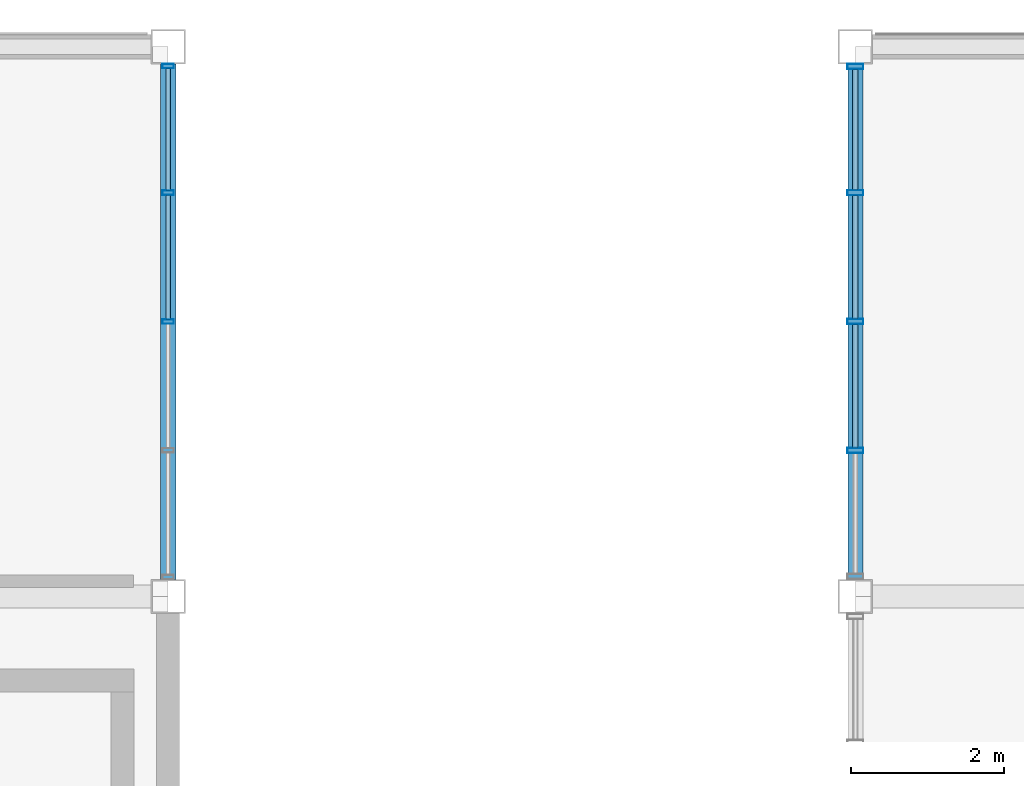
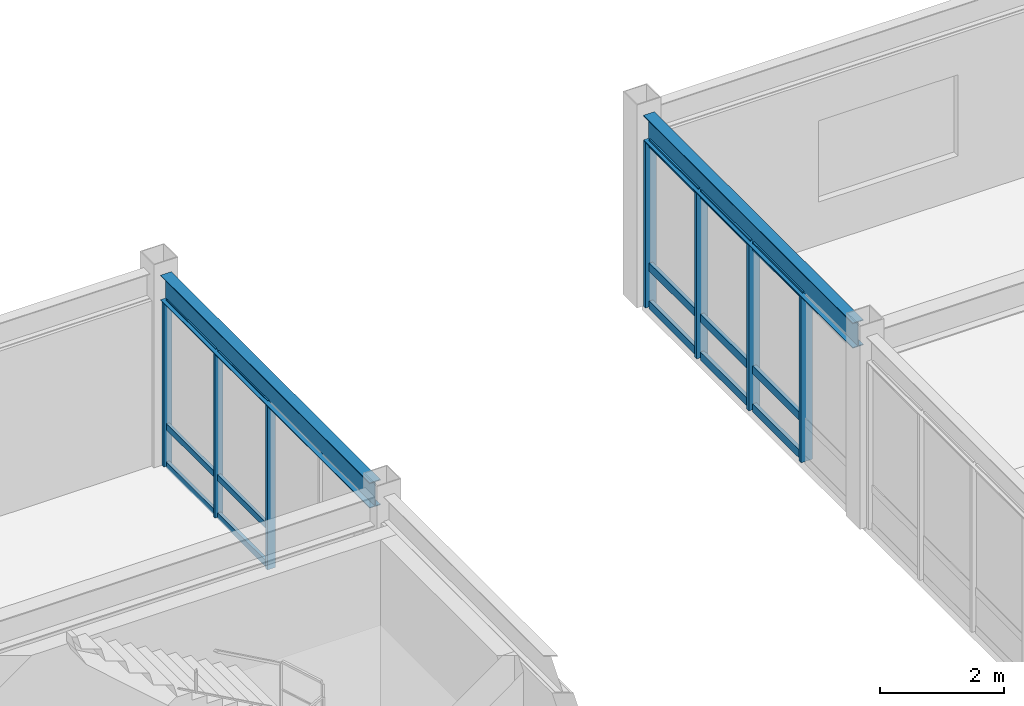
# One storey, part 65 of 122: 22 members, 2 beams, 2 elements without a shape of their own.
"""IFC4 building model written with IfcOpenShell, lengths in metres."""

import ifcopenshell
import ifcopenshell.guid

model = None  # the IFC model being written
_history = None  # IfcOwnerHistory: only IFC2X3 demands one
_inside = {}  # id of a spatial element -> (the spatial element, [elements in it])
_under = {}  # id of a project, library or spatial element -> (it, [spatial elements below it])
_declared = {}  # id of a project -> (the project, [libraries it declares])
_typed = {}  # id of a type object -> (the type object, [elements of that type])
_made_of = {}  # id of a material, layer set ... -> (it, [elements and type objects made of it])


def new_model(schema):
    """Start an empty IFC model of exactly this schema.

    Asked for "IFC4X3", IfcOpenShell would pick the latest addendum, in which some entities
    have other attributes; the version numbers below select the first issue.
    IFC2X3 requires an IfcOwnerHistory on every rooted entity: one is made here for all.
    """
    global model, _history
    if schema == "IFC4X3":
        model = ifcopenshell.file(schema_version=(4, 3, 0, 0))
    else:
        model = ifcopenshell.file(schema=schema)
    _inside.clear()
    _under.clear()
    _declared.clear()
    _typed.clear()
    _made_of.clear()
    _history = None
    if model.schema == "IFC2X3":
        org = make("IfcOrganization", Name="unknown")
        user = make(
            "IfcPersonAndOrganization",
            ThePerson=make("IfcPerson", FamilyName="unknown"),
            TheOrganization=org,
        )
        app = make(
            "IfcApplication",
            ApplicationDeveloper=org,
            Version="unknown",
            ApplicationFullName="unknown",
            ApplicationIdentifier="unknown",
        )
        _history = make(
            "IfcOwnerHistory",
            OwningUser=user,
            OwningApplication=app,
            ChangeAction="ADDED",
            CreationDate=0,
        )
    return model


def make(cls, **values):
    """One entity of the class cls with the attributes given. An attribute that is None is left unset."""
    return model.create_entity(
        cls, **{name: value for name, value in values.items() if value is not None}
    )


def rooted(cls, **values):
    """An entity with a GlobalId (a new one), such as an element, a storey or a relation."""
    return make(cls, GlobalId=ifcopenshell.guid.new(), OwnerHistory=_history, **values)


def si_unit(unit_type, name, prefix=None):
    """IfcSIUnit, for example si_unit("LENGTHUNIT", "METRE", prefix="MILLI")."""
    return make("IfcSIUnit", UnitType=unit_type, Prefix=prefix, Name=name)


def assignment(units):
    """IfcUnitAssignment: the units of a project."""
    return None if units is None else make("IfcUnitAssignment", Units=units)


def point(xyz):
    """IfcCartesianPoint."""
    return None if xyz is None else make("IfcCartesianPoint", Coordinates=xyz)


def direction(xyz):
    """IfcDirection."""
    return None if xyz is None else make("IfcDirection", DirectionRatios=xyz)


def frame(location, z_axis=None, x_axis=None):
    """IfcAxis2Placement3D, a coordinate frame: its origin and axes. An axis left out is left unset."""
    return make(
        "IfcAxis2Placement3D",
        Location=point(location),
        Axis=direction(z_axis),
        RefDirection=direction(x_axis),
    )


def frame_2d(location, x_axis=None):
    """IfcAxis2Placement2D, a coordinate frame in the plane: its origin and x axis."""
    return make(
        "IfcAxis2Placement2D", Location=point(location), RefDirection=direction(x_axis)
    )


def origin():
    """The frame at (0, 0, 0) with its axes left unset."""
    return frame((0.0, 0.0, 0.0))


def origin_2d():
    """The frame at (0, 0) in the plane with its x axis left unset."""
    return frame_2d((0.0, 0.0))


def place(relative_to, where):
    """IfcLocalPlacement: puts the frame where relative to a parent placement (None: the world)."""
    return make(
        "IfcLocalPlacement", PlacementRelTo=relative_to, RelativePlacement=where
    )


def context(
    kind, dimensions, precision=None, world=None, true_north=None, identifier=None
):
    """IfcGeometricRepresentationContext, for example the 3D "Model" context."""
    return make(
        "IfcGeometricRepresentationContext",
        ContextIdentifier=identifier,
        ContextType=kind,
        CoordinateSpaceDimension=dimensions,
        Precision=precision,
        WorldCoordinateSystem=world,
        TrueNorth=true_north,
    )


def subcontext(parent, identifier, kind, view, scale=None):
    """IfcGeometricRepresentationSubContext, for example "Body" below "Model"."""
    return make(
        "IfcGeometricRepresentationSubContext",
        ContextIdentifier=identifier,
        ContextType=kind,
        ParentContext=parent,
        TargetScale=scale,
        TargetView=view,
    )


def project(units=None, contexts=None):
    """IfcProject with its units and contexts."""
    return rooted(
        "IfcProject",
        Name="project",
        RepresentationContexts=contexts,
        UnitsInContext=assignment(units),
    )


def spatial(cls, under=None, at=None, **own):
    """A site, building, storey or space (cls), placed at a placement, below another one or the project."""
    s = rooted(cls, ObjectPlacement=at, **own)
    if under is not None:
        _under.setdefault(under.id(), (under, []))[1].append(s)
    return s


def profile(cls, at=None, kind="AREA", **sizes):
    """A parametric profile (cls). Its sizes go by their IFC names, for example OverallWidth=200.0."""
    return make(cls, ProfileType=kind, Position=at, **sizes)


def hollow_rectangle(**sizes):
    """IfcRectangleHollowProfileDef."""
    return profile("IfcRectangleHollowProfileDef", **sizes)


def i_section(**sizes):
    """IfcIShapeProfileDef."""
    return profile("IfcIShapeProfileDef", **sizes)


def extrude(swept, where, along, depth):
    """IfcExtrudedAreaSolid: the profile swept, set in the frame where, extruded along a direction by depth."""
    return make(
        "IfcExtrudedAreaSolid",
        SweptArea=swept,
        Position=where,
        ExtrudedDirection=direction(along),
        Depth=depth,
    )


def shape(context_of_items, identifier, shape_type, items):
    """IfcShapeRepresentation: the items that make up one representation, for example the "Body"."""
    return make(
        "IfcShapeRepresentation",
        ContextOfItems=context_of_items,
        RepresentationIdentifier=identifier,
        RepresentationType=shape_type,
        Items=items,
    )


def material(Name=None, Category=None):
    """IfcMaterial."""
    return make("IfcMaterial", Name=Name, Category=Category)


def material_profile(
    of_material, cross_section, Name=None, Category=None, Priority=None
):
    """IfcMaterialProfile: a cross section and its material."""
    return make(
        "IfcMaterialProfile",
        Name=Name,
        Material=of_material,
        Profile=cross_section,
        Priority=Priority,
        Category=Category,
    )


def profile_set(profiles, Name=None, composite=None):
    """IfcMaterialProfileSet."""
    return make(
        "IfcMaterialProfileSet",
        Name=Name,
        MaterialProfiles=profiles,
        CompositeProfile=composite,
    )


def made_of(thing, what):
    """Note that an element or type object is made of a material, layer set ...; save() writes the relation."""
    if what is not None:
        _made_of.setdefault(what.id(), (what, []))[1].append(thing)
    return thing


def type_object(cls, material=None, **own):
    """A type object (cls), such as IfcWallType, which elements share."""
    return made_of(rooted(cls, **own), material)


def element(
    cls,
    number,
    at=None,
    inside=None,
    cuts=None,
    type_object=None,
    material=None,
    context=None,
    identifier="Body",
    shape_type=None,
    held_by="IfcProductDefinitionShape",
    body=None,
    shapes=None,
    **own,
):
    """One element of the class cls, such as IfcWall. Its Tag is "e" and its number.

    at: its placement. inside: the storey or other place that contains it. cuts: it is an
    opening in that element (IfcRelVoidsElement). A single representation is given by context,
    identifier, shape_type and body (its items); several are given by shapes. held_by: the class
    of the entity that holds the representations. save() writes the other relations.
    """
    e = rooted(cls, Tag="e%d" % number, ObjectPlacement=at, **own)
    if body is not None:
        shapes = [shape(context, identifier, shape_type, body)]
    if shapes is not None:
        e.Representation = make(held_by, Representations=shapes)
    if inside is not None:
        _inside.setdefault(inside.id(), (inside, []))[1].append(e)
    if cuts is not None:
        rooted(
            "IfcRelVoidsElement", RelatingBuildingElement=cuts, RelatedOpeningElement=e
        )
    if type_object is not None:
        _typed.setdefault(type_object.id(), (type_object, []))[1].append(e)
    return made_of(e, material)


def aggregate(whole, parts):
    """IfcRelAggregates: a whole, such as a stair, and the parts it consists of."""
    return rooted("IfcRelAggregates", RelatingObject=whole, RelatedObjects=parts)


def save(model, path):
    """Write the relations noted so far, then the file.

    IfcRelAggregates (storeys below a building ...), IfcRelContainedInSpatialStructure (elements
    in a storey), IfcRelDefinesByType, IfcRelAssociatesMaterial and IfcRelDeclares: one each for
    every whole, place, type object, material and project.
    """
    for whole, parts in _under.values():
        aggregate(whole, parts)
    for where, things in _inside.values():
        rooted(
            "IfcRelContainedInSpatialStructure",
            RelatedElements=things,
            RelatingStructure=where,
        )
    for kind, things in _typed.values():
        rooted("IfcRelDefinesByType", RelatedObjects=things, RelatingType=kind)
    for what, things in _made_of.values():
        rooted("IfcRelAssociatesMaterial", RelatedObjects=things, RelatingMaterial=what)
    for by, libraries in _declared.values():
        rooted("IfcRelDeclares", RelatingContext=by, RelatedDefinitions=libraries)
    model.write(path)


model = new_model("IFC4")

# Units and contexts
model_context = context("Model", 3, precision=1e-05, world=origin(), true_north=direction((0.0, 1.0)))
body_context = subcontext(model_context, "Body", "Model", "MODEL_VIEW")
ifc_project = project(units=[si_unit("LENGTHUNIT", "METRE"), si_unit("AREAUNIT", "SQUARE_METRE"), si_unit("VOLUMEUNIT", "CUBIC_METRE"), si_unit("PLANEANGLEUNIT", "RADIAN"), si_unit("MASSUNIT", "GRAM", prefix="KILO")], contexts=[model_context])

# Site, building, storey
site_placement = place(None, origin())
site = spatial("IfcSite", under=ifc_project, at=site_placement, CompositionType="ELEMENT")
building_placement = place(site_placement, origin())
building = spatial("IfcBuilding", under=site, at=building_placement, Name="Kazanami Central Library", CompositionType="ELEMENT")
storey_placement = place(building_placement, frame((0.0, 0.0, 4.800048828125)))
storey = spatial("IfcBuildingStorey", under=building, at=storey_placement, Name="L02", CompositionType="ELEMENT", Elevation=4.800048828125)

# Beams
ifc_material_1 = material(Name="Steel SN490B (325 MPa)", Category="steel")
ifc_material_profile_1 = material_profile(ifc_material_1, i_section(OverallWidth=0.199951171875, OverallDepth=0.5, WebThickness=0.010009765625, FlangeThickness=0.01611328125, at=origin_2d()), Name="H-500x200x10x16")
ifc_profile_set_1 = profile_set([ifc_material_profile_1], Name="Steel SN490B (325 MPa)")
beam_type = type_object("IfcBeamType", Name="BM-SP-1", PredefinedType="SPANDREL", material=ifc_profile_set_1)
for number, where, z_axis, x_axis, name in (
    (1, (36.0, 86.623046875, 3.5048828125), (0.0, 1.0, 0.0), (-1.0, 0.0, 0.0), "Girder SP-1 L02 5/N-O"),
    (2, (45.0, 86.623046875, 3.5048828125), (0.0, 1.0, 0.0), (-1.0, 0.0, 0.0), "Girder SP-1 L02 6/N-O"),
):
    element("IfcBeam", number, at=place(storey_placement, frame(where, z_axis=z_axis, x_axis=x_axis)), inside=storey, type_object=beam_type, Name=name, PredefinedType="SPANDREL", context=body_context, shape_type="SweptSolid", body=[
        extrude(i_section(OverallWidth=0.199951171875, OverallDepth=0.5, WebThickness=0.010009765625, FlangeThickness=0.01611328125, at=origin_2d()), origin(), (0.0, 0.0, 1.0), 6.75390625),
    ])

# Curtain wall, members
ifc_material_2 = material(Name="Acid-Etched Low-E Laminated Glass", Category="glass")
curtain_wall_type = type_object("IfcCurtainWallType", Name="CW-6750x3255-M180", PredefinedType="USERDEFINED", material=ifc_material_2)
curtain_wall_1_placement = place(storey_placement, origin())
curtain_wall_1 = element("IfcCurtainWall", 3, at=curtain_wall_1_placement, inside=storey, type_object=curtain_wall_type, Name="Covered Link Bridge Curtain Wall CW-21 L02 W-6-12", ObjectType="UNITISED CURTAIN WALL", PredefinedType="USERDEFINED")
ifc_material_3 = material(Name="Anodised Aluminium A6063-T5", Category="aluminium")
ifc_material_profile_2 = material_profile(ifc_material_3, hollow_rectangle(XDim=0.070068359375, YDim=0.2099609375, WallThickness=0.0048828125, at=origin_2d()), Name="ALU-MULL-70x210x5")
ifc_profile_set_2 = profile_set([ifc_material_profile_2], Name="Anodised Aluminium A6063-T5")
member_type_1 = type_object("IfcMemberType", Name="MEM-CW-M1", PredefinedType="MULLION", material=ifc_profile_set_2)
member_1_placement = place(storey_placement, frame((45.0, 88.3125, 0.0), z_axis=(0.0, 0.0, 1.0), x_axis=(0.0, 1.0, 0.0)))
member_1 = element("IfcMember", 4, at=member_1_placement, type_object=member_type_1, Name="CW-21 mullion 2", PredefinedType="MULLION", context=body_context, shape_type="SweptSolid", body=[
    extrude(hollow_rectangle(XDim=0.070068359375, YDim=0.2099609375, WallThickness=0.0048828125, at=origin_2d()), origin(), (0.0, 0.0, 1.0), 3.2548828125),
])
member_2_placement = place(storey_placement, frame((45.0, 90.0, 0.0), z_axis=(0.0, 0.0, 1.0), x_axis=(0.0, 1.0, 0.0)))
member_2 = element("IfcMember", 5, at=member_2_placement, type_object=member_type_1, Name="CW-21 mullion 3", PredefinedType="MULLION", context=body_context, shape_type="SweptSolid", body=[
    extrude(hollow_rectangle(XDim=0.070068359375, YDim=0.2099609375, WallThickness=0.0048828125, at=origin_2d()), origin(), (0.0, 0.0, 1.0), 3.2548828125),
])
member_3_placement = place(storey_placement, frame((45.0, 91.6875, 0.0), z_axis=(0.0, 0.0, 1.0), x_axis=(0.0, 1.0, 0.0)))
member_3 = element("IfcMember", 6, at=member_3_placement, type_object=member_type_1, Name="CW-21 mullion 4", PredefinedType="MULLION", context=body_context, shape_type="SweptSolid", body=[
    extrude(hollow_rectangle(XDim=0.070068359375, YDim=0.2099609375, WallThickness=0.0048828125, at=origin_2d()), origin(), (0.0, 0.0, 1.0), 3.2548828125),
])
member_4_placement = place(storey_placement, frame((45.0, 93.340087890625, 0.0), z_axis=(0.0, 0.0, 1.0), x_axis=(0.0, 1.0, 0.0)))
member_4 = element("IfcMember", 7, at=member_4_placement, type_object=member_type_1, Name="CW-21 mullion 5", PredefinedType="MULLION", context=body_context, shape_type="SweptSolid", body=[
    extrude(hollow_rectangle(XDim=0.070068359375, YDim=0.2099609375, WallThickness=0.0048828125, at=origin_2d()), origin(), (0.0, 0.0, 1.0), 3.2548828125),
])

curtain_wall_2_placement = place(storey_placement, origin())
curtain_wall_2 = element("IfcCurtainWall", 8, at=curtain_wall_2_placement, inside=storey, type_object=curtain_wall_type, Name="Covered Link Bridge Curtain Wall CW-21 L02 E-5-12", ObjectType="UNITISED CURTAIN WALL", PredefinedType="USERDEFINED")
ifc_material_profile_3 = material_profile(ifc_material_3, hollow_rectangle(XDim=0.06005859375, YDim=0.14990234375, WallThickness=0.00390625, at=origin_2d()), Name="ALU-MULL-60x150x4")
ifc_profile_set_3 = profile_set([ifc_material_profile_3], Name="Anodised Aluminium A6063-T5")
member_type_2 = type_object("IfcMemberType", Name="MEM-CW-M3", PredefinedType="MULLION", material=ifc_profile_set_3)
member_5_placement = place(storey_placement, frame((36.0, 93.344970703125, 0.0), z_axis=(0.0, 0.0, 1.0), x_axis=(0.0, -1.0, 0.0)))
member_5 = element("IfcMember", 9, at=member_5_placement, type_object=member_type_2, Name="CW-21 mullion 1", PredefinedType="MULLION", context=body_context, shape_type="SweptSolid", body=[
    extrude(hollow_rectangle(XDim=0.06005859375, YDim=0.14990234375, WallThickness=0.00390625, at=origin_2d()), origin(), (0.0, 0.0, 1.0), 3.2548828125),
])
member_6_placement = place(storey_placement, frame((36.0, 91.6875, 0.0), z_axis=(0.0, 0.0, 1.0), x_axis=(0.0, -1.0, 0.0)))
member_6 = element("IfcMember", 10, at=member_6_placement, type_object=member_type_2, Name="CW-21 mullion 2", PredefinedType="MULLION", context=body_context, shape_type="SweptSolid", body=[
    extrude(hollow_rectangle(XDim=0.06005859375, YDim=0.14990234375, WallThickness=0.00390625, at=origin_2d()), origin(), (0.0, 0.0, 1.0), 3.2548828125),
])
member_7_placement = place(storey_placement, frame((36.0, 90.0, 0.0), z_axis=(0.0, 0.0, 1.0), x_axis=(0.0, -1.0, 0.0)))
member_7 = element("IfcMember", 11, at=member_7_placement, type_object=member_type_2, Name="CW-21 mullion 3", PredefinedType="MULLION", context=body_context, shape_type="SweptSolid", body=[
    extrude(hollow_rectangle(XDim=0.06005859375, YDim=0.14990234375, WallThickness=0.00390625, at=origin_2d()), origin(), (0.0, 0.0, 1.0), 3.2548828125),
])

# Member
ifc_material_profile_4 = material_profile(ifc_material_3, hollow_rectangle(XDim=0.070068359375, YDim=0.159912109375, WallThickness=0.00390625, at=origin_2d()), Name="ALU-TRAN-70x160x4")
ifc_profile_set_4 = profile_set([ifc_material_profile_4], Name="Anodised Aluminium A6063-T5")
member_type_3 = type_object("IfcMemberType", Name="MEM-CW-T1", PredefinedType="USERDEFINED", material=ifc_profile_set_4)
member_8_placement = place(storey_placement, frame((45.0, 88.347412109375, 0.034912109375), z_axis=(0.0, 1.0, 0.0), x_axis=(-1.0, 0.0, 0.0)))
member_8 = element("IfcMember", 12, at=member_8_placement, type_object=member_type_3, Name="CW-21 transom 2.1", ObjectType="TRANSOM", PredefinedType="USERDEFINED", context=body_context, shape_type="SweptSolid", body=[
    extrude(hollow_rectangle(XDim=0.070068359375, YDim=0.159912109375, WallThickness=0.00390625, at=origin_2d()), origin(), (0.0, 0.0, 1.0), 1.61767578125),
])

member_9_placement = place(storey_placement, frame((45.0, 88.347412109375, 0.780029296875), z_axis=(0.0, 1.0, 0.0), x_axis=(-1.0, 0.0, 0.0)))
member_9 = element("IfcMember", 13, at=member_9_placement, type_object=member_type_3, Name="CW-21 transom 2.2", ObjectType="TRANSOM", PredefinedType="USERDEFINED", context=body_context, shape_type="SweptSolid", body=[
    extrude(hollow_rectangle(XDim=0.070068359375, YDim=0.159912109375, WallThickness=0.00390625, at=origin_2d()), origin(), (0.0, 0.0, 1.0), 1.61767578125),
])

member_10_placement = place(storey_placement, frame((45.0, 88.347412109375, 3.219970703125), z_axis=(0.0, 1.0, 0.0), x_axis=(-1.0, 0.0, 0.0)))
member_10 = element("IfcMember", 14, at=member_10_placement, type_object=member_type_3, Name="CW-21 transom 2.3", ObjectType="TRANSOM", PredefinedType="USERDEFINED", context=body_context, shape_type="SweptSolid", body=[
    extrude(hollow_rectangle(XDim=0.070068359375, YDim=0.159912109375, WallThickness=0.00390625, at=origin_2d()), origin(), (0.0, 0.0, 1.0), 1.61767578125),
])

member_11_placement = place(storey_placement, frame((45.0, 90.034912109375, 0.034912109375), z_axis=(0.0, 1.0, 0.0), x_axis=(-1.0, 0.0, 0.0)))
member_11 = element("IfcMember", 15, at=member_11_placement, type_object=member_type_3, Name="CW-21 transom 3.1", ObjectType="TRANSOM", PredefinedType="USERDEFINED", context=body_context, shape_type="SweptSolid", body=[
    extrude(hollow_rectangle(XDim=0.070068359375, YDim=0.159912109375, WallThickness=0.00390625, at=origin_2d()), origin(), (0.0, 0.0, 1.0), 1.61767578125),
])

member_12_placement = place(storey_placement, frame((45.0, 90.034912109375, 0.780029296875), z_axis=(0.0, 1.0, 0.0), x_axis=(-1.0, 0.0, 0.0)))
member_12 = element("IfcMember", 16, at=member_12_placement, type_object=member_type_3, Name="CW-21 transom 3.2", ObjectType="TRANSOM", PredefinedType="USERDEFINED", context=body_context, shape_type="SweptSolid", body=[
    extrude(hollow_rectangle(XDim=0.070068359375, YDim=0.159912109375, WallThickness=0.00390625, at=origin_2d()), origin(), (0.0, 0.0, 1.0), 1.61767578125),
])

member_13_placement = place(storey_placement, frame((45.0, 90.034912109375, 3.219970703125), z_axis=(0.0, 1.0, 0.0), x_axis=(-1.0, 0.0, 0.0)))
member_13 = element("IfcMember", 17, at=member_13_placement, type_object=member_type_3, Name="CW-21 transom 3.3", ObjectType="TRANSOM", PredefinedType="USERDEFINED", context=body_context, shape_type="SweptSolid", body=[
    extrude(hollow_rectangle(XDim=0.070068359375, YDim=0.159912109375, WallThickness=0.00390625, at=origin_2d()), origin(), (0.0, 0.0, 1.0), 1.61767578125),
])

member_14_placement = place(storey_placement, frame((45.0, 91.722412109375, 0.034912109375), z_axis=(0.0, 1.0, 0.0), x_axis=(-1.0, 0.0, 0.0)))
member_14 = element("IfcMember", 18, at=member_14_placement, type_object=member_type_3, Name="CW-21 transom 4.1", ObjectType="TRANSOM", PredefinedType="USERDEFINED", context=body_context, shape_type="SweptSolid", body=[
    extrude(hollow_rectangle(XDim=0.070068359375, YDim=0.159912109375, WallThickness=0.00390625, at=origin_2d()), origin(), (0.0, 0.0, 1.0), 1.58251953125),
])

member_15_placement = place(storey_placement, frame((45.0, 91.722412109375, 0.780029296875), z_axis=(0.0, 1.0, 0.0), x_axis=(-1.0, 0.0, 0.0)))
member_15 = element("IfcMember", 19, at=member_15_placement, type_object=member_type_3, Name="CW-21 transom 4.2", ObjectType="TRANSOM", PredefinedType="USERDEFINED", context=body_context, shape_type="SweptSolid", body=[
    extrude(hollow_rectangle(XDim=0.070068359375, YDim=0.159912109375, WallThickness=0.00390625, at=origin_2d()), origin(), (0.0, 0.0, 1.0), 1.58251953125),
])

member_16_placement = place(storey_placement, frame((45.0, 91.722412109375, 3.219970703125), z_axis=(0.0, 1.0, 0.0), x_axis=(-1.0, 0.0, 0.0)))
member_16 = element("IfcMember", 20, at=member_16_placement, type_object=member_type_3, Name="CW-21 transom 4.3", ObjectType="TRANSOM", PredefinedType="USERDEFINED", context=body_context, shape_type="SweptSolid", body=[
    extrude(hollow_rectangle(XDim=0.070068359375, YDim=0.159912109375, WallThickness=0.00390625, at=origin_2d()), origin(), (0.0, 0.0, 1.0), 1.58251953125),
])

aggregate(curtain_wall_1, [member_1, member_2, member_3, member_4, member_8, member_9, member_10, member_11, member_12, member_13, member_14, member_15, member_16])

ifc_material_profile_5 = material_profile(ifc_material_3, hollow_rectangle(XDim=0.06005859375, YDim=0.1201171875, WallThickness=0.00341796875, at=origin_2d()), Name="ALU-TRAN-60x120x3.5")
ifc_profile_set_5 = profile_set([ifc_material_profile_5], Name="Anodised Aluminium A6063-T5")
member_type_4 = type_object("IfcMemberType", Name="MEM-CW-T3", PredefinedType="USERDEFINED", material=ifc_profile_set_5)
member_17_placement = place(storey_placement, frame((36.0, 93.31494140625, 0.030029296875), z_axis=(0.0, -1.0, 0.0), x_axis=(1.0, 0.0, 0.0)))
member_17 = element("IfcMember", 21, at=member_17_placement, type_object=member_type_4, Name="CW-21 transom 1.1", ObjectType="TRANSOM", PredefinedType="USERDEFINED", context=body_context, shape_type="SweptSolid", body=[
    extrude(hollow_rectangle(XDim=0.06005859375, YDim=0.1201171875, WallThickness=0.00341796875, at=origin_2d()), origin(), (0.0, 0.0, 1.0), 1.597412109375),
])

member_18_placement = place(storey_placement, frame((36.0, 93.31494140625, 0.780029296875), z_axis=(0.0, -1.0, 0.0), x_axis=(1.0, 0.0, 0.0)))
member_18 = element("IfcMember", 22, at=member_18_placement, type_object=member_type_4, Name="CW-21 transom 1.2", ObjectType="TRANSOM", PredefinedType="USERDEFINED", context=body_context, shape_type="SweptSolid", body=[
    extrude(hollow_rectangle(XDim=0.06005859375, YDim=0.1201171875, WallThickness=0.00341796875, at=origin_2d()), origin(), (0.0, 0.0, 1.0), 1.597412109375),
])

member_19_placement = place(storey_placement, frame((36.0, 93.31494140625, 3.224853515625), z_axis=(0.0, -1.0, 0.0), x_axis=(1.0, 0.0, 0.0)))
member_19 = element("IfcMember", 23, at=member_19_placement, type_object=member_type_4, Name="CW-21 transom 1.3", ObjectType="TRANSOM", PredefinedType="USERDEFINED", context=body_context, shape_type="SweptSolid", body=[
    extrude(hollow_rectangle(XDim=0.06005859375, YDim=0.1201171875, WallThickness=0.00341796875, at=origin_2d()), origin(), (0.0, 0.0, 1.0), 1.597412109375),
])

member_20_placement = place(storey_placement, frame((36.0, 91.657470703125, 0.030029296875), z_axis=(0.0, -1.0, 0.0), x_axis=(1.0, 0.0, 0.0)))
member_20 = element("IfcMember", 24, at=member_20_placement, type_object=member_type_4, Name="CW-21 transom 2.1", ObjectType="TRANSOM", PredefinedType="USERDEFINED", context=body_context, shape_type="SweptSolid", body=[
    extrude(hollow_rectangle(XDim=0.06005859375, YDim=0.1201171875, WallThickness=0.00341796875, at=origin_2d()), origin(), (0.0, 0.0, 1.0), 1.62744140625),
])

member_21_placement = place(storey_placement, frame((36.0, 91.657470703125, 0.780029296875), z_axis=(0.0, -1.0, 0.0), x_axis=(1.0, 0.0, 0.0)))
member_21 = element("IfcMember", 25, at=member_21_placement, type_object=member_type_4, Name="CW-21 transom 2.2", ObjectType="TRANSOM", PredefinedType="USERDEFINED", context=body_context, shape_type="SweptSolid", body=[
    extrude(hollow_rectangle(XDim=0.06005859375, YDim=0.1201171875, WallThickness=0.00341796875, at=origin_2d()), origin(), (0.0, 0.0, 1.0), 1.62744140625),
])

member_22_placement = place(storey_placement, frame((36.0, 91.657470703125, 3.224853515625), z_axis=(0.0, -1.0, 0.0), x_axis=(1.0, 0.0, 0.0)))
member_22 = element("IfcMember", 26, at=member_22_placement, type_object=member_type_4, Name="CW-21 transom 2.3", ObjectType="TRANSOM", PredefinedType="USERDEFINED", context=body_context, shape_type="SweptSolid", body=[
    extrude(hollow_rectangle(XDim=0.06005859375, YDim=0.1201171875, WallThickness=0.00341796875, at=origin_2d()), origin(), (0.0, 0.0, 1.0), 1.62744140625),
])

aggregate(curtain_wall_2, [member_5, member_6, member_7, member_17, member_18, member_19, member_20, member_21, member_22])

save(model, "model.ifc")
